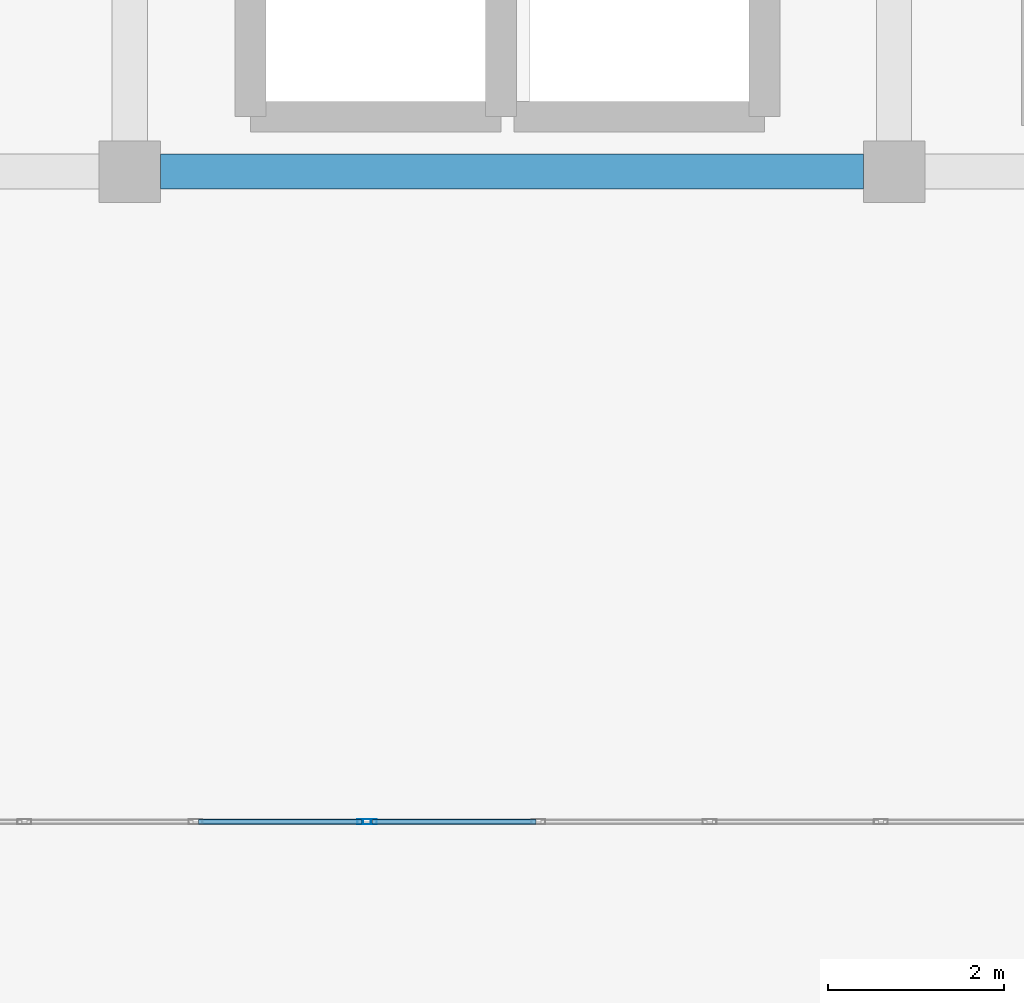
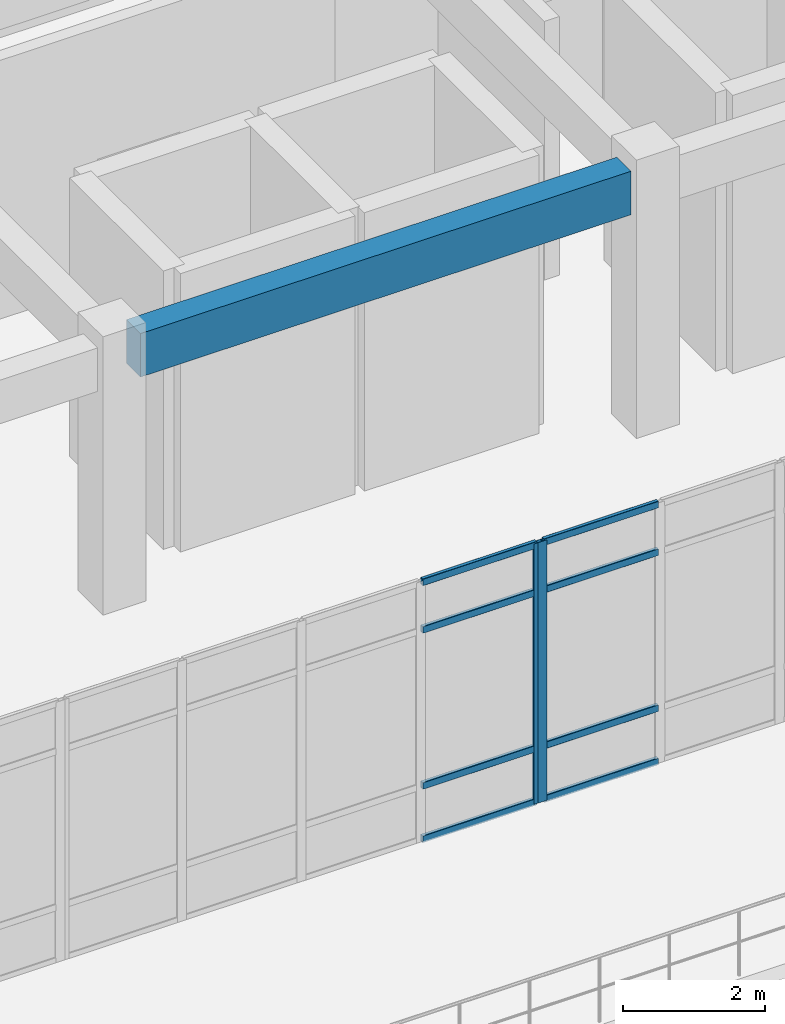
# One storey, part 12 of 64: 10 members, 1 beam, 2 elements without a shape of their own.
"""IFC4 building model written with IfcOpenShell, lengths in metres."""

from ifc_helpers import new_model, si_unit, derived_unit, direction, frame, origin, origin_2d, place, context, subcontext, project, spatial, rectangle, hollow_rectangle, extrude, material, layer, layer_set, material_profile, profile_set, type_object, element, aggregate, save


model = new_model("IFC4")

# Units and contexts
model_context = context("Model", 3, precision=1e-05, world=origin(), true_north=direction((0.0, 1.0)))
body_context = subcontext(model_context, "Body", "Model", "MODEL_VIEW")
ifc_project = project(units=[si_unit("LENGTHUNIT", "METRE"), si_unit("AREAUNIT", "SQUARE_METRE"), si_unit("VOLUMEUNIT", "CUBIC_METRE"), si_unit("PLANEANGLEUNIT", "RADIAN"), si_unit("MASSUNIT", "GRAM", prefix="KILO"), derived_unit("THERMALTRANSMITTANCEUNIT", [(si_unit("MASSUNIT", "GRAM", prefix="KILO"), 1), (si_unit("TIMEUNIT", "SECOND"), -3), (si_unit("THERMODYNAMICTEMPERATUREUNIT", "KELVIN"), -1)])], contexts=[model_context])

# Site, building, storey
site_placement = place(None, origin())
site = spatial("IfcSite", under=ifc_project, at=site_placement, CompositionType="ELEMENT")
building_placement = place(site_placement, origin())
building = spatial("IfcBuilding", under=site, at=building_placement, Name="Qinzheling Arcade Emporium", CompositionType="ELEMENT")
storey_placement = place(building_placement, frame((0.0, 0.0, 31.5)))
storey = spatial("IfcBuildingStorey", under=building, at=storey_placement, Name="L07", CompositionType="ELEMENT", Elevation=31.5)

# Curtain wall, member
ifc_material_1 = material(Name="Anodised aluminium and solar-control double glazing", Category="aluminium")
ifc_layer = layer(ifc_material_1, 0.159912109375, Name="Anodised aluminium and solar-control double glazing", Category="aluminium")
ifc_layer_set = layer_set([ifc_layer], Name="Anodised aluminium and solar-control double glazing")
curtain_wall_type = type_object("IfcCurtainWallType", Name="Arcade Portal Glazed Curtain Wall", PredefinedType="NOTDEFINED", material=ifc_layer_set)
curtain_wall_1_placement = place(storey_placement, origin())
curtain_wall_1 = element("IfcCurtainWall", 1, at=curtain_wall_1_placement, inside=storey, type_object=curtain_wall_type, Name="Curtain Wall CW-L07-398", PredefinedType="NOTDEFINED")
ifc_material_2 = material(Name="Anodised aluminium 6063-T6", Category="aluminium")
ifc_material_profile_1 = material_profile(ifc_material_2, hollow_rectangle(XDim=0.06005859375, YDim=0.159912109375, WallThickness=0.00390625, InnerFilletRadius=0.00390625, OuterFilletRadius=0.008056640625, at=origin_2d()), Name="RHS 160x60x4", Category="aluminium")
ifc_profile_set_1 = profile_set([ifc_material_profile_1], Name="Anodised aluminium 6063-T6")
member_type_1 = type_object("IfcMemberType", Name="Curtain Wall Mullion RHS160x60", PredefinedType="MULLION", material=ifc_profile_set_1)
member_1_placement = place(storey_placement, frame((46.23193359375, 17.800048828125, 0.0), z_axis=(0.0, 0.0, 1.0), x_axis=(0.0, -1.0, 0.0)))
member_1 = element("IfcMember", 2, at=member_1_placement, type_object=member_type_1, Name="CW05 mullion 5", PredefinedType="MULLION", context=body_context, shape_type="SweptSolid", body=[
    extrude(hollow_rectangle(XDim=0.06005859375, YDim=0.159912109375, WallThickness=0.00390625, InnerFilletRadius=0.00390625, OuterFilletRadius=0.008056640625, at=origin_2d()), origin(), (0.0, 0.0, 1.0), 4.489990234375),
])

curtain_wall_2_placement = place(storey_placement, origin())
curtain_wall_2 = element("IfcCurtainWall", 3, at=curtain_wall_2_placement, inside=storey, type_object=curtain_wall_type, Name="Curtain Wall CW-L07-399", PredefinedType="NOTDEFINED")
member_2_placement = place(storey_placement, frame((46.16796875, 17.800048828125, 0.0), z_axis=(0.0, 0.0, 1.0), x_axis=(0.0, -1.0, 0.0)))
member_2 = element("IfcMember", 4, at=member_2_placement, type_object=member_type_1, Name="CW05 mullion 1", PredefinedType="MULLION", context=body_context, shape_type="SweptSolid", body=[
    extrude(hollow_rectangle(XDim=0.06005859375, YDim=0.159912109375, WallThickness=0.00390625, InnerFilletRadius=0.00390625, OuterFilletRadius=0.008056640625, at=origin_2d()), origin(), (0.0, 0.0, 1.0), 4.489990234375),
])

# Member
ifc_material_profile_2 = material_profile(ifc_material_2, hollow_rectangle(XDim=0.06005859375, YDim=0.1201171875, WallThickness=0.00390625, InnerFilletRadius=0.00390625, OuterFilletRadius=0.008056640625, at=origin_2d()), Name="RHS 120x60x4", Category="aluminium")
ifc_profile_set_2 = profile_set([ifc_material_profile_2], Name="Anodised aluminium 6063-T6")
member_type_2 = type_object("IfcMemberType", Name="Curtain Wall Transom RHS120x60", PredefinedType="USERDEFINED", material=ifc_profile_set_2)
member_3_placement = place(storey_placement, frame((48.12109375, 17.800048828125, 0.030029296875), z_axis=(-1.0, 0.0, 0.0), x_axis=(0.0, -1.0, 0.0)))
member_3 = element("IfcMember", 5, at=member_3_placement, type_object=member_type_2, Name="CW05 transom 4.1", ObjectType="TRANSOM", PredefinedType="USERDEFINED", context=body_context, shape_type="SweptSolid", body=[
    extrude(hollow_rectangle(XDim=0.06005859375, YDim=0.1201171875, WallThickness=0.00390625, InnerFilletRadius=0.00390625, OuterFilletRadius=0.008056640625, at=origin_2d()), origin(), (0.0, 0.0, 1.0), 1.859130859375),
])

member_4_placement = place(storey_placement, frame((48.12109375, 17.800048828125, 0.949951171875), z_axis=(-1.0, 0.0, 0.0), x_axis=(0.0, -1.0, 0.0)))
member_4 = element("IfcMember", 6, at=member_4_placement, type_object=member_type_2, Name="CW05 transom 4.2", ObjectType="TRANSOM", PredefinedType="USERDEFINED", context=body_context, shape_type="SweptSolid", body=[
    extrude(hollow_rectangle(XDim=0.06005859375, YDim=0.1201171875, WallThickness=0.00390625, InnerFilletRadius=0.00390625, OuterFilletRadius=0.008056640625, at=origin_2d()), origin(), (0.0, 0.0, 1.0), 1.859130859375),
])

member_5_placement = place(storey_placement, frame((48.12109375, 17.800048828125, 3.639892578125), z_axis=(-1.0, 0.0, 0.0), x_axis=(0.0, -1.0, 0.0)))
member_5 = element("IfcMember", 7, at=member_5_placement, type_object=member_type_2, Name="CW05 transom 4.3", ObjectType="TRANSOM", PredefinedType="USERDEFINED", context=body_context, shape_type="SweptSolid", body=[
    extrude(hollow_rectangle(XDim=0.06005859375, YDim=0.1201171875, WallThickness=0.00390625, InnerFilletRadius=0.00390625, OuterFilletRadius=0.008056640625, at=origin_2d()), origin(), (0.0, 0.0, 1.0), 1.859130859375),
])

member_6_placement = place(storey_placement, frame((48.12109375, 17.800048828125, 4.4599609375), z_axis=(-1.0, 0.0, 0.0), x_axis=(0.0, -1.0, 0.0)))
member_6 = element("IfcMember", 8, at=member_6_placement, type_object=member_type_2, Name="CW05 transom 4.4", ObjectType="TRANSOM", PredefinedType="USERDEFINED", context=body_context, shape_type="SweptSolid", body=[
    extrude(hollow_rectangle(XDim=0.06005859375, YDim=0.1201171875, WallThickness=0.00390625, InnerFilletRadius=0.00390625, OuterFilletRadius=0.008056640625, at=origin_2d()), origin(), (0.0, 0.0, 1.0), 1.859130859375),
])

aggregate(curtain_wall_1, [member_1, member_3, member_4, member_5, member_6])

member_7_placement = place(storey_placement, frame((46.137939453125, 17.800048828125, 0.030029296875), z_axis=(-1.0, 0.0, 0.0), x_axis=(0.0, -1.0, 0.0)))
member_7 = element("IfcMember", 9, at=member_7_placement, type_object=member_type_2, Name="CW05 transom 1.1", ObjectType="TRANSOM", PredefinedType="USERDEFINED", context=body_context, shape_type="SweptSolid", body=[
    extrude(hollow_rectangle(XDim=0.06005859375, YDim=0.1201171875, WallThickness=0.00390625, InnerFilletRadius=0.00390625, OuterFilletRadius=0.008056640625, at=origin_2d()), origin(), (0.0, 0.0, 1.0), 1.85888671875),
])

member_8_placement = place(storey_placement, frame((46.137939453125, 17.800048828125, 0.949951171875), z_axis=(-1.0, 0.0, 0.0), x_axis=(0.0, -1.0, 0.0)))
member_8 = element("IfcMember", 10, at=member_8_placement, type_object=member_type_2, Name="CW05 transom 1.2", ObjectType="TRANSOM", PredefinedType="USERDEFINED", context=body_context, shape_type="SweptSolid", body=[
    extrude(hollow_rectangle(XDim=0.06005859375, YDim=0.1201171875, WallThickness=0.00390625, InnerFilletRadius=0.00390625, OuterFilletRadius=0.008056640625, at=origin_2d()), origin(), (0.0, 0.0, 1.0), 1.85888671875),
])

member_9_placement = place(storey_placement, frame((46.137939453125, 17.800048828125, 3.639892578125), z_axis=(-1.0, 0.0, 0.0), x_axis=(0.0, -1.0, 0.0)))
member_9 = element("IfcMember", 11, at=member_9_placement, type_object=member_type_2, Name="CW05 transom 1.3", ObjectType="TRANSOM", PredefinedType="USERDEFINED", context=body_context, shape_type="SweptSolid", body=[
    extrude(hollow_rectangle(XDim=0.06005859375, YDim=0.1201171875, WallThickness=0.00390625, InnerFilletRadius=0.00390625, OuterFilletRadius=0.008056640625, at=origin_2d()), origin(), (0.0, 0.0, 1.0), 1.85888671875),
])

member_10_placement = place(storey_placement, frame((46.137939453125, 17.800048828125, 4.4599609375), z_axis=(-1.0, 0.0, 0.0), x_axis=(0.0, -1.0, 0.0)))
member_10 = element("IfcMember", 12, at=member_10_placement, type_object=member_type_2, Name="CW05 transom 1.4", ObjectType="TRANSOM", PredefinedType="USERDEFINED", context=body_context, shape_type="SweptSolid", body=[
    extrude(hollow_rectangle(XDim=0.06005859375, YDim=0.1201171875, WallThickness=0.00390625, InnerFilletRadius=0.00390625, OuterFilletRadius=0.008056640625, at=origin_2d()), origin(), (0.0, 0.0, 1.0), 1.85888671875),
])

aggregate(curtain_wall_2, [member_2, member_7, member_8, member_9, member_10])

# Beam
ifc_material_3 = material(Name="Concrete C40", Category="concrete")
ifc_material_profile_3 = material_profile(ifc_material_3, rectangle(XDim=0.39990234375, YDim=0.75, at=origin_2d()), Name="RC 400x750", Category="concrete")
ifc_profile_set_3 = profile_set([ifc_material_profile_3], Name="Concrete C40")
beam_type = type_object("IfcBeamType", Name="RC Interior Tie Beam 400x750 C40", PredefinedType="BEAM", material=ifc_profile_set_3)
beam_placement = place(storey_placement, frame((43.85009765625, 25.199951171875, 4.14501953125), z_axis=(1.0, 0.0, 0.0), x_axis=(0.0, 1.0, 0.0)))
element("IfcBeam", 13, at=beam_placement, inside=storey, type_object=beam_type, Name="Beam BM-L07-X-D-6", PredefinedType="BEAM", context=body_context, shape_type="SweptSolid", body=[
    extrude(rectangle(XDim=0.39990234375, YDim=0.75, at=origin_2d()), origin(), (0.0, 0.0, 1.0), 8.0),
])

save(model, "model.ifc")
